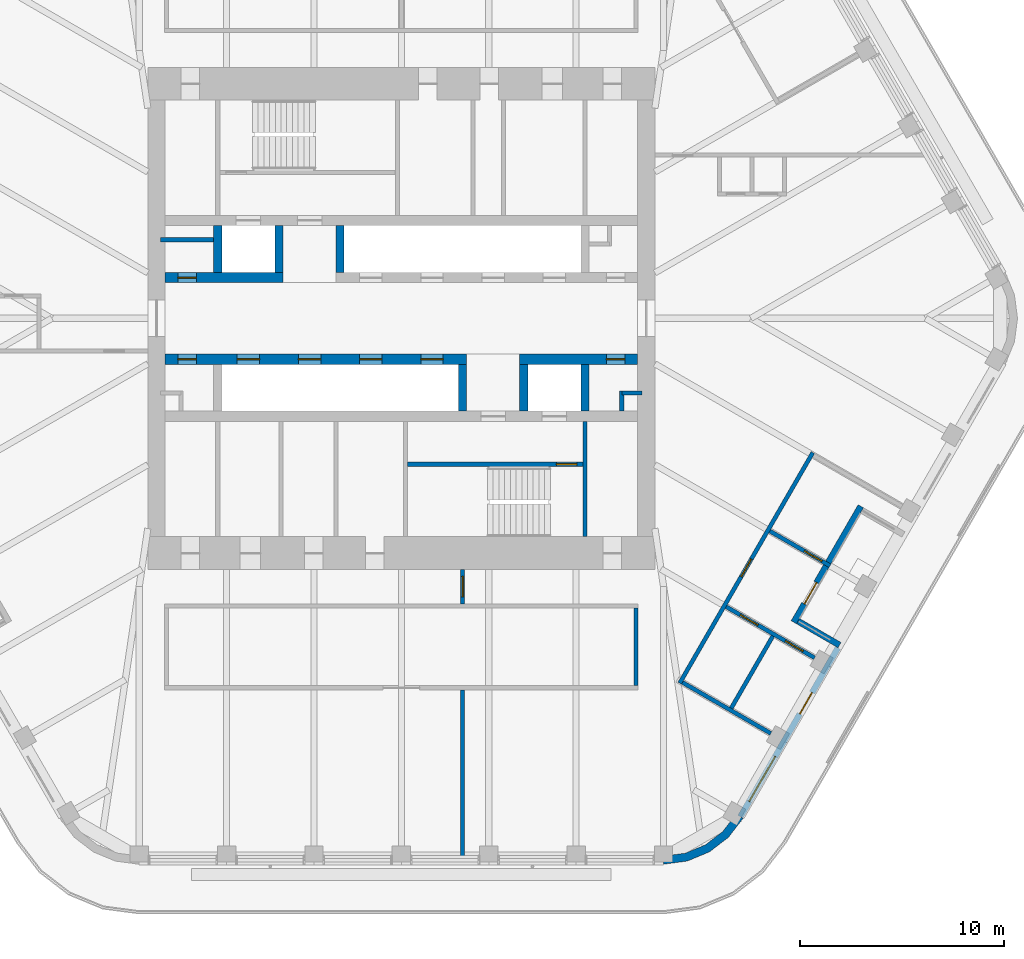
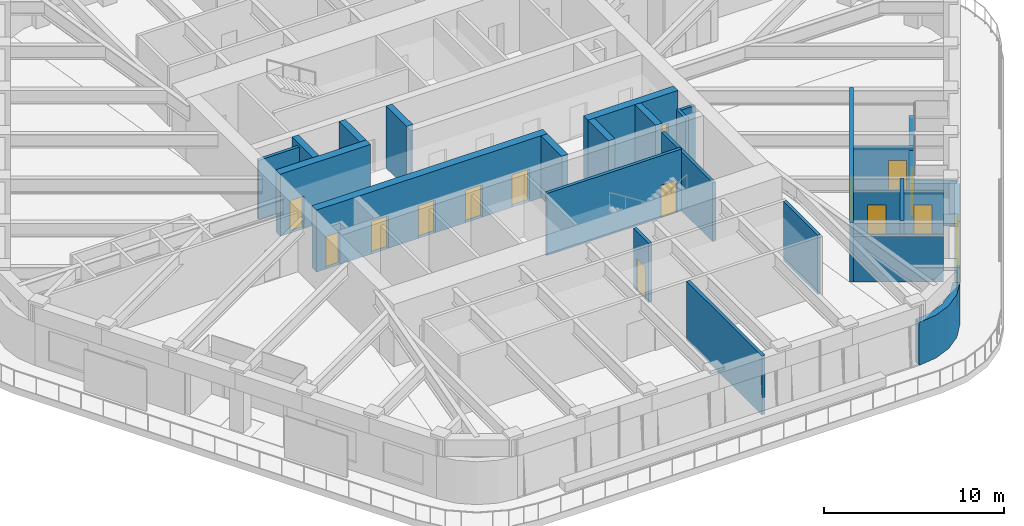
# One storey, part 14 of 19: 26 walls, 15 doors, 1 window, 16 openings.
"""IFC4 building model written with IfcOpenShell, lengths in metres."""

from ifc_helpers import new_model, si_unit, direction, frame, frame_2d, origin, place, context, subcontext, project, spatial, polyline, rectangle, outline, extrude, material, layer, layer_set, type_object, element, fill, save


model = new_model("IFC4")

# Units and contexts
model_context = context("Model", 3, precision=1e-05, world=origin(), true_north=direction((0.0, 1.0)))
body_context = subcontext(model_context, "Body", "Model", "MODEL_VIEW")
ifc_project = project(units=[si_unit("LENGTHUNIT", "METRE"), si_unit("AREAUNIT", "SQUARE_METRE"), si_unit("VOLUMEUNIT", "CUBIC_METRE"), si_unit("PLANEANGLEUNIT", "RADIAN"), si_unit("MASSUNIT", "GRAM", prefix="KILO")], contexts=[model_context])

# Site, building, storey
site_placement = place(None, origin())
site = spatial("IfcSite", under=ifc_project, at=site_placement, CompositionType="ELEMENT")
building_placement = place(site_placement, origin())
building = spatial("IfcBuilding", under=site, at=building_placement, Name="Tarfa Lantern Tower", CompositionType="ELEMENT")
storey_placement = place(building_placement, frame((0.0, 0.0, 353.5)))
storey = spatial("IfcBuildingStorey", under=building, at=storey_placement, Name="L80", CompositionType="ELEMENT", Elevation=353.5)

# Wall, openings, door, window
ifc_material_1 = material(Name="Limestone cladding on blockwork", Category="masonry")
ifc_layer_1 = layer(ifc_material_1, 0.300048828125)
ifc_layer_set_1 = layer_set([ifc_layer_1], Name="EW1 STONE-CLAD WALL 300")
wall_type_1 = type_object("IfcWallType", Name="EW1 STONE-CLAD WALL 300", PredefinedType="SOLIDWALL", material=ifc_layer_set_1)
wall_1_placement = place(storey_placement, frame((16.61328125, -24.425048828125, 0.0), z_axis=(0.0, 0.0, 1.0), x_axis=(0.499996453679, 0.866027451244, 0.0)))
wall_1 = element("IfcWall", 1, at=wall_1_placement, inside=storey, type_object=wall_type_1, Name="Stone wall SE", PredefinedType="SOLIDWALL", context=body_context, shape_type="SweptSolid", body=[
    extrude(rectangle(XDim=9.56396484375, YDim=0.300048828125, at=frame_2d((4.781982421875, 0.0))), origin(), (0.0, 0.0, 1.0), 2.89990234375),
])
opening_1_placement = place(wall_1_placement, frame((0.865966796875, 0.0, 0.60009765625)))
opening_1 = element("IfcOpeningElement", 2, at=opening_1_placement, cuts=wall_1, Name="Opening W17", PredefinedType="OPENING", context=body_context, shape_type="SweptSolid", body=[
    extrude(rectangle(XDim=2.550048828125, YDim=2.050048828125, at=frame_2d((1.27490234375, 1.02490234375))), frame((0.0, 0.159912109375, 0.0), z_axis=(0.0, -1.0, 0.0), x_axis=(1.0, 0.0, 0.0)), (0.0, 0.0, 1.0), 0.320068359375),
])
opening_2_placement = place(wall_1_placement, frame((5.822998046875, 0.0, 0.0)))
opening_2 = element("IfcOpeningElement", 3, at=opening_2_placement, cuts=wall_1, Name="Opening D40", PredefinedType="OPENING", context=body_context, shape_type="SweptSolid", body=[
    extrude(rectangle(XDim=1.199951171875, YDim=2.39990234375, at=frame_2d((0.60009765625, 1.199951171875))), frame((0.0, 0.159912109375, 0.0), z_axis=(0.0, -1.0, 0.0), x_axis=(1.0, 0.0, 0.0)), (0.0, 0.0, 1.0), 0.320068359375),
])
ifc_material_2 = material(Name="Aluminium framed glazed door", Category="aluminium")
door_type_1 = type_object("IfcDoorType", Name="BE3 BALCONY DOOR 1200x2400", OperationType="SINGLE_SWING_RIGHT", PredefinedType="DOOR", material=ifc_material_2)
door_1_placement = place(opening_2_placement, origin())
door_1 = element("IfcDoor", 4, at=door_1_placement, inside=storey, type_object=door_type_1, Name="Balcony door SE", OperationType="SINGLE_SWING_LEFT", OverallHeight=2.39990234375, OverallWidth=1.199951171875, PredefinedType="DOOR", context=body_context, shape_type="SweptSolid", body=[
    extrude(rectangle(XDim=1.199951171875, YDim=2.39990234375, at=frame_2d((0.60009765625, 1.199951171875))), frame((0.0, 0.02490234375, 0.0), z_axis=(0.0, -1.0, 0.0), x_axis=(1.0, 0.0, 0.0)), (0.0, 0.0, 1.0), 0.050048828125),
])
fill(opening_2, door_1)
ifc_material_3 = material(Name="Aluminium frame, double glazed", Category="aluminium")
window_type = type_object("IfcWindowType", Name="W17 FULL-HEIGHT GLAZING 2550x2050", PartitioningType="SINGLE_PANEL", PredefinedType="WINDOW", material=ifc_material_3)
window_placement = place(opening_1_placement, origin())
window = element("IfcWindow", 5, at=window_placement, inside=storey, type_object=window_type, Name="Window SE 1", OverallHeight=2.050048828125, OverallWidth=2.550048828125, PartitioningType="SINGLE_PANEL", PredefinedType="WINDOW", context=body_context, shape_type="SweptSolid", body=[
    extrude(rectangle(XDim=2.550048828125, YDim=2.050048828125, at=frame_2d((1.27490234375, 1.02490234375))), frame((0.0, 0.030029296875, 0.0), z_axis=(0.0, -1.0, 0.0), x_axis=(1.0, 0.0, 0.0)), (0.0, 0.0, 1.0), 0.06005859375),
])
fill(opening_1, window)

# Wall
wall_2_placement = place(storey_placement, frame((21.47021484375, -16.012451171875, 0.0), z_axis=(0.0, 0.0, 1.0), x_axis=(-0.866016039709, 0.500016218704, 0.0)))
element("IfcWall", 6, at=wall_2_placement, inside=storey, type_object=wall_type_1, Name="Terrace return SE 1", PredefinedType="SOLIDWALL", context=body_context, shape_type="SweptSolid", body=[
    extrude(rectangle(XDim=2.35009765625, YDim=0.300048828125, at=frame_2d((1.175048828125, 0.0))), origin(), (0.0, 0.0, 1.0), 2.89990234375),
])

# Wall, opening, door
wall_3_placement = place(storey_placement, frame((19.230224609375, -14.892333984375, 0.0), z_axis=(0.0, 0.0, 1.0), x_axis=(0.499999339774, 0.866025784966, 0.0)))
wall_3 = element("IfcWall", 7, at=wall_3_placement, inside=storey, type_object=wall_type_1, Name="Stone wall SES", PredefinedType="SOLIDWALL", context=body_context, shape_type="SweptSolid", body=[
    extrude(rectangle(XDim=6.56396484375, YDim=0.300048828125, at=frame_2d((3.281982421875, 0.0))), origin(), (0.0, 0.0, 1.0), 2.89990234375),
])
opening_3_placement = place(wall_3_placement, frame((1.041015625, 0.0, 0.0)))
opening_3 = element("IfcOpeningElement", 8, at=opening_3_placement, cuts=wall_3, Name="Opening D41", PredefinedType="OPENING", context=body_context, shape_type="SweptSolid", body=[
    extrude(rectangle(XDim=1.199951171875, YDim=2.39990234375, at=frame_2d((0.60009765625, 1.199951171875))), frame((0.0, 0.159912109375, 0.0), z_axis=(0.0, -1.0, 0.0), x_axis=(1.0, 0.0, 0.0)), (0.0, 0.0, 1.0), 0.320068359375),
])
door_2_placement = place(opening_3_placement, origin())
door_2 = element("IfcDoor", 9, at=door_2_placement, inside=storey, type_object=door_type_1, Name="Balcony door SES", OperationType="SINGLE_SWING_LEFT", OverallHeight=2.39990234375, OverallWidth=1.199951171875, PredefinedType="DOOR", context=body_context, shape_type="SweptSolid", body=[
    extrude(rectangle(XDim=1.199951171875, YDim=2.39990234375, at=frame_2d((0.60009765625, 1.199951171875))), frame((0.0, 0.02490234375, 0.0), z_axis=(0.0, -1.0, 0.0), x_axis=(1.0, 0.0, 0.0)), (0.0, 0.0, 1.0), 0.050048828125),
])
fill(opening_3, door_2)

# Walls
ifc_layer_2 = layer(ifc_material_1, 0.39990234375)
ifc_layer_set_2 = layer_set([ifc_layer_2], Name="EW2 CURVED STONE CORNER 400")
wall_type_2 = type_object("IfcWallType", Name="EW2 CURVED STONE CORNER 400", PredefinedType="SOLIDWALL", material=ifc_layer_set_2)
wall_4_placement = place(storey_placement, origin())
element("IfcWall", 10, at=wall_4_placement, inside=storey, type_object=wall_type_2, Name="Stone corner S-SE", PredefinedType="SOLIDWALL", context=body_context, shape_type="SweptSolid", body=[
    extrude(outline(polyline([(12.845947265625, -26.75), (14.0107421875, -26.5966796875), (15.095947265625, -26.147216796875), (16.028076171875, -25.431884765625), (16.7431640625, -24.5), (16.396728515625, -24.300048828125), (15.7451171875, -25.149169921875), (14.89599609375, -25.80078125), (13.9072265625, -26.210205078125), (12.845947265625, -26.35009765625), (12.845947265625, -26.75)])), origin(), (0.0, 0.0, 1.0), 2.89990234375),
])
ifc_material_4 = material(Name="Concrete blockwork", Category="masonry")
ifc_layer_3 = layer(ifc_material_4, 0.199951171875)
ifc_layer_set_3 = layer_set([ifc_layer_3], Name="IW1 BLOCKWORK PARTITION 200 EI 120")
wall_type_3 = type_object("IfcWallType", Name="IW1 BLOCKWORK PARTITION 200 EI 120", PredefinedType="PARTITIONING", material=ifc_layer_set_3)
wall_5_placement = place(storey_placement, frame((9.0, -5.050048828125, 0.0), z_axis=(0.0, 0.0, 1.0), x_axis=(0.0, -1.0, 0.0)))
element("IfcWall", 11, at=wall_5_placement, inside=storey, type_object=wall_type_3, Name="Core partition", PredefinedType="PARTITIONING", context=body_context, shape_type="SweptSolid", body=[
    extrude(rectangle(XDim=5.64990234375, YDim=0.199951171875, at=frame_2d((2.824951171875, 0.0))), origin(), (0.0, 0.0, 1.0), 4.0),
])
wall_6_placement = place(storey_placement, frame((-11.800048828125, 3.85009765625, 0.0), z_axis=(0.0, 0.0, 1.0), x_axis=(1.0, 0.0, 0.0)))
element("IfcWall", 12, at=wall_6_placement, inside=storey, type_object=wall_type_3, Name="Core partition", PredefinedType="PARTITIONING", context=body_context, shape_type="SweptSolid", body=[
    extrude(rectangle(XDim=2.60009765625, YDim=0.199951171875, at=frame_2d((1.300048828125, 0.0))), origin(), (0.0, 0.0, 1.0), 4.0),
])
for number, where, z_axis, x_axis, name in (
    (13, (11.800048828125, -3.64990234375, 0.0), (0.0, 0.0, 1.0), (-1.0, 0.0, 0.0), "Core partition"),
    (14, (10.800048828125, -3.550048828125, 0.0), (0.0, 0.0, 1.0), (0.0, -1.0, 0.0), "Core partition"),
):
    element("IfcWall", number, at=place(storey_placement, frame(where, z_axis=z_axis, x_axis=x_axis)), inside=storey, type_object=wall_type_3, Name=name, PredefinedType="PARTITIONING", context=body_context, shape_type="SweptSolid", body=[
        extrude(rectangle(XDim=1.0, YDim=0.199951171875, at=frame_2d((0.5, 0.0))), origin(), (0.0, 0.0, 1.0), 4.0),
    ])
ifc_material_5 = material(Name="Gypsum board on steel studs", Category="steel")
ifc_layer_4 = layer(ifc_material_5, 0.2099609375)
ifc_layer_set_4 = layer_set([ifc_layer_4], Name="IW2 ACOUSTIC PARTITION 200")
wall_type_4 = type_object("IfcWallType", Name="IW2 ACOUSTIC PARTITION 200", PredefinedType="PARTITIONING", material=ifc_layer_set_4)
wall_7_placement = place(storey_placement, frame((11.5, -14.199951171875, 0.0), z_axis=(0.0, 0.0, 1.0), x_axis=(0.0, -1.0, 0.0)))
element("IfcWall", 15, at=wall_7_placement, inside=storey, type_object=wall_type_4, Name="Partition", PredefinedType="PARTITIONING", context=body_context, shape_type="SweptSolid", body=[
    extrude(rectangle(XDim=3.800048828125, YDim=0.199951171875, at=frame_2d((1.89990234375, 0.0))), origin(), (0.0, 0.0, 1.0), 4.0),
])

# Wall, opening, door
wall_8_placement = place(storey_placement, frame((13.637939453125, -17.878173828125, 0.0), z_axis=(0.0, 0.0, 1.0), x_axis=(0.500013496215, 0.866017611601, 0.0)))
wall_8 = element("IfcWall", 16, at=wall_8_placement, inside=storey, type_object=wall_type_4, Name="Partition", PredefinedType="PARTITIONING", context=body_context, shape_type="SweptSolid", body=[
    extrude(rectangle(XDim=13.046142578125, YDim=0.199951171875, at=frame_2d((6.52294921875, 0.0))), origin(), (0.0, 0.0, 1.0), 4.0),
])
opening_4_placement = place(wall_8_placement, frame((6.02294921875, 0.0, 0.0)))
opening_4 = element("IfcOpeningElement", 17, at=opening_4_placement, cuts=wall_8, Name="Opening D23", PredefinedType="OPENING", context=body_context, shape_type="SweptSolid", body=[
    extrude(rectangle(XDim=1.0, YDim=2.199951171875, at=frame_2d((0.5, 1.10009765625))), frame((0.0, 0.10986328125, 0.0), z_axis=(0.0, -1.0, 0.0), x_axis=(1.0, 0.0, 0.0)), (0.0, 0.0, 1.0), 0.219970703125),
])
ifc_material_6 = material(Name="Timber door", Category="wood")
door_type_2 = type_object("IfcDoorType", Name="DR1 ROOM DOOR 1000x2200", OperationType="SINGLE_SWING_LEFT", PredefinedType="DOOR", material=ifc_material_6)
door_3_placement = place(opening_4_placement, frame((1.0, 0.0, 0.0), z_axis=(0.0, 0.0, 1.0), x_axis=(-1.0, 0.0, 0.0)))
door_3 = element("IfcDoor", 18, at=door_3_placement, inside=storey, type_object=door_type_2, Name="PA area door", OperationType="SINGLE_SWING_LEFT", OverallHeight=2.199951171875, OverallWidth=1.0, PredefinedType="DOOR", context=body_context, shape_type="SweptSolid", body=[
    extrude(rectangle(XDim=1.0, YDim=2.199951171875, at=frame_2d((0.5, 1.10009765625))), frame((0.0, 0.02490234375, 0.0), z_axis=(0.0, -1.0, 0.0), x_axis=(1.0, 0.0, 0.0)), (0.0, 0.0, 1.0), 0.050048828125),
])
fill(opening_4, door_3)

# Wall
wall_9_placement = place(storey_placement, frame((13.774658203125, -17.841552734375, 0.0), z_axis=(0.0, 0.0, 1.0), x_axis=(0.866022959057, -0.500004234368, 0.0)))
element("IfcWall", 19, at=wall_9_placement, inside=storey, type_object=wall_type_4, Name="Partition", PredefinedType="PARTITIONING", context=body_context, shape_type="SweptSolid", body=[
    extrude(rectangle(XDim=5.0, YDim=0.199951171875, at=frame_2d((2.5, 0.0))), origin(), (0.0, 0.0, 1.0), 3.08154296875),
])

# Wall, openings, doors
wall_10_placement = place(storey_placement, frame((15.91552734375, -14.13330078125, 0.0), z_axis=(0.0, 0.0, 1.0), x_axis=(0.866035165624, -0.499983091616, 0.0)))
wall_10 = element("IfcWall", 20, at=wall_10_placement, inside=storey, type_object=wall_type_4, Name="Partition", PredefinedType="PARTITIONING", context=body_context, shape_type="SweptSolid", body=[
    extrude(rectangle(XDim=5.000244140625, YDim=0.199951171875, at=frame_2d((2.5, 0.0))), origin(), (0.0, 0.0, 1.0), 3.08154296875),
])
opening_5_placement = place(wall_10_placement, frame((0.800048828125, 0.0, 0.0)))
opening_5 = element("IfcOpeningElement", 21, at=opening_5_placement, cuts=wall_10, Name="Opening D25", PredefinedType="OPENING", context=body_context, shape_type="SweptSolid", body=[
    extrude(rectangle(XDim=1.0, YDim=2.199951171875, at=frame_2d((0.5, 1.10009765625))), frame((0.0, 0.10986328125, 0.0), z_axis=(0.0, -1.0, 0.0), x_axis=(1.0, 0.0, 0.0)), (0.0, 0.0, 1.0), 0.219970703125),
])
opening_6_placement = place(wall_10_placement, frame((3.35009765625, 0.0, 0.0)))
opening_6 = element("IfcOpeningElement", 22, at=opening_6_placement, cuts=wall_10, Name="Opening D26", PredefinedType="OPENING", context=body_context, shape_type="SweptSolid", body=[
    extrude(rectangle(XDim=1.0, YDim=2.199951171875, at=frame_2d((0.5, 1.10009765625))), frame((0.0, 0.10986328125, 0.0), z_axis=(0.0, -1.0, 0.0), x_axis=(1.0, 0.0, 0.0)), (0.0, 0.0, 1.0), 0.219970703125),
])
door_4_placement = place(opening_5_placement, frame((1.0, 0.0, 0.0), z_axis=(0.0, 0.0, 1.0), x_axis=(-1.0, 0.0, 0.0)))
door_4 = element("IfcDoor", 23, at=door_4_placement, inside=storey, type_object=door_type_2, Name="Pantry door", OperationType="SINGLE_SWING_LEFT", OverallHeight=2.199951171875, OverallWidth=1.0, PredefinedType="DOOR", context=body_context, shape_type="SweptSolid", body=[
    extrude(rectangle(XDim=1.0, YDim=2.199951171875, at=frame_2d((0.5, 1.10009765625))), frame((0.0, 0.02490234375, 0.0), z_axis=(0.0, -1.0, 0.0), x_axis=(1.0, 0.0, 0.0)), (0.0, 0.0, 1.0), 0.050048828125),
])
fill(opening_5, door_4)
door_5_placement = place(opening_6_placement, frame((1.0, 0.0, 0.0), z_axis=(0.0, 0.0, 1.0), x_axis=(-1.0, 0.0, 0.0)))
door_5 = element("IfcDoor", 24, at=door_5_placement, inside=storey, type_object=door_type_2, Name="Private lounge door", OperationType="SINGLE_SWING_LEFT", OverallHeight=2.199951171875, OverallWidth=1.0, PredefinedType="DOOR", context=body_context, shape_type="SweptSolid", body=[
    extrude(rectangle(XDim=1.0, YDim=2.199951171875, at=frame_2d((0.5, 1.10009765625))), frame((0.0, 0.02490234375, 0.0), z_axis=(0.0, -1.0, 0.0), x_axis=(1.0, 0.0, 0.0)), (0.0, 0.0, 1.0), 0.050048828125),
])
fill(opening_6, door_5)

# Wall, opening, door
wall_11_placement = place(storey_placement, frame((18.056640625, -10.425048828125, 0.0), z_axis=(0.0, 0.0, 1.0), x_axis=(0.866030179784, -0.499991727635, 0.0)))
wall_11 = element("IfcWall", 25, at=wall_11_placement, inside=storey, type_object=wall_type_4, Name="Partition", PredefinedType="PARTITIONING", context=body_context, shape_type="SweptSolid", body=[
    extrude(rectangle(XDim=3.40087890625, YDim=0.199951171875, at=frame_2d((1.700439453125, 0.0))), origin(), (0.0, 0.0, 1.0), 3.08154296875),
])
opening_7_placement = place(wall_11_placement, frame((1.949951171875, 0.0, 0.0)))
opening_7 = element("IfcOpeningElement", 26, at=opening_7_placement, cuts=wall_11, Name="Opening D24", PredefinedType="OPENING", context=body_context, shape_type="SweptSolid", body=[
    extrude(rectangle(XDim=1.0, YDim=2.199951171875, at=frame_2d((0.5, 1.10009765625))), frame((0.0, 0.10986328125, 0.0), z_axis=(0.0, -1.0, 0.0), x_axis=(1.0, 0.0, 0.0)), (0.0, 0.0, 1.0), 0.219970703125),
])
door_6_placement = place(opening_7_placement, origin())
door_6 = element("IfcDoor", 27, at=door_6_placement, inside=storey, type_object=door_type_2, Name="Executive office door", OperationType="SINGLE_SWING_LEFT", OverallHeight=2.199951171875, OverallWidth=1.0, PredefinedType="DOOR", context=body_context, shape_type="SweptSolid", body=[
    extrude(rectangle(XDim=1.0, YDim=2.199951171875, at=frame_2d((0.5, 1.10009765625))), frame((0.0, 0.02490234375, 0.0), z_axis=(0.0, -1.0, 0.0), x_axis=(1.0, 0.0, 0.0)), (0.0, 0.0, 1.0), 0.050048828125),
])
fill(opening_7, door_6)

# Wall
wall_12_placement = place(storey_placement, frame((16.162841796875, -19.10498046875, 0.0), z_axis=(0.0, 0.0, 1.0), x_axis=(0.499998569178, 0.866026229868, 0.0)))
element("IfcWall", 28, at=wall_12_placement, inside=storey, type_object=wall_type_4, Name="Partition", PredefinedType="PARTITIONING", context=body_context, shape_type="SweptSolid", body=[
    extrude(rectangle(XDim=4.08203125, YDim=0.199951171875, at=frame_2d((2.041015625, 0.0))), origin(), (0.0, 0.0, 1.0), 4.0),
])

# Wall, opening, door
wall_13_placement = place(storey_placement, frame((3.0, -12.300048828125, 0.0), z_axis=(0.0, 0.0, 1.0), x_axis=(0.0, -1.0, 0.0)))
wall_13 = element("IfcWall", 29, at=wall_13_placement, inside=storey, type_object=wall_type_4, Name="Partition", PredefinedType="PARTITIONING", context=body_context, shape_type="SweptSolid", body=[
    extrude(rectangle(XDim=1.699951171875, YDim=0.199951171875, at=frame_2d((0.85009765625, 0.0))), origin(), (0.0, 0.0, 1.0), 4.0),
])
opening_8_placement = place(wall_13_placement, frame((0.35009765625, 0.0, 0.0)))
opening_8 = element("IfcOpeningElement", 30, at=opening_8_placement, cuts=wall_13, Name="Opening D36", PredefinedType="OPENING", context=body_context, shape_type="SweptSolid", body=[
    extrude(rectangle(XDim=1.0, YDim=2.199951171875, at=frame_2d((0.5, 1.10009765625))), frame((0.0, 0.10986328125, 0.0), z_axis=(0.0, -1.0, 0.0), x_axis=(1.0, 0.0, 0.0)), (0.0, 0.0, 1.0), 0.219970703125),
])
door_7_placement = place(opening_8_placement, frame((1.0, 0.0, 0.0), z_axis=(0.0, 0.0, 1.0), x_axis=(-1.0, 0.0, 0.0)))
door_7 = element("IfcDoor", 31, at=door_7_placement, inside=storey, type_object=door_type_2, Name="Zone door", OperationType="SINGLE_SWING_RIGHT", OverallHeight=2.199951171875, OverallWidth=1.0, PredefinedType="DOOR", context=body_context, shape_type="SweptSolid", body=[
    extrude(rectangle(XDim=1.0, YDim=2.199951171875, at=frame_2d((0.5, 1.10009765625))), frame((0.0, 0.02490234375, 0.0), z_axis=(0.0, -1.0, 0.0), x_axis=(1.0, 0.0, 0.0)), (0.0, 0.0, 1.0), 0.050048828125),
])
fill(opening_8, door_7)

# Wall
wall_14_placement = place(storey_placement, frame((3.0, -18.199951171875, 0.0), z_axis=(0.0, 0.0, 1.0), x_axis=(0.0, -1.0, 0.0)))
element("IfcWall", 32, at=wall_14_placement, inside=storey, type_object=wall_type_4, Name="Partition", PredefinedType="PARTITIONING", context=body_context, shape_type="SweptSolid", body=[
    extrude(rectangle(XDim=8.35009765625, YDim=0.199951171875, at=frame_2d((4.175048828125, 0.0))), origin(), (0.0, 0.0, 1.0), 4.0),
])

# Wall, opening, door
ifc_material_7 = material(Name="Concrete C80/95", Category="concrete")
ifc_layer_5 = layer(ifc_material_7, 0.199951171875)
ifc_layer_set_5 = layer_set([ifc_layer_5], Name="SW12 CORE WALL 200")
wall_type_5 = type_object("IfcWallType", Name="SW12 CORE WALL 200", PredefinedType="SHEAR", material=ifc_layer_set_5)
wall_15_placement = place(storey_placement, frame((8.89990234375, -7.14990234375, 0.0), z_axis=(0.0, 0.0, 1.0), x_axis=(-1.0, 0.0, 0.0)))
wall_15 = element("IfcWall", 33, at=wall_15_placement, inside=storey, type_object=wall_type_5, Name="Core wall stair partition S", PredefinedType="SHEAR", context=body_context, shape_type="SweptSolid", body=[
    extrude(rectangle(XDim=8.599853515625, YDim=0.199951171875, at=frame_2d((4.2998046875, 0.0))), origin(), (0.0, 0.0, 1.0), 4.199951171875),
])
opening_9_placement = place(wall_15_placement, frame((0.300048828125, 0.0, 0.0)))
opening_9 = element("IfcOpeningElement", 34, at=opening_9_placement, cuts=wall_15, Name="Opening D20", PredefinedType="OPENING", context=body_context, shape_type="SweptSolid", body=[
    extrude(rectangle(XDim=1.0, YDim=2.199951171875, at=frame_2d((0.5, 1.10009765625))), frame((0.0, 0.10986328125, 0.0), z_axis=(0.0, -1.0, 0.0), x_axis=(1.0, 0.0, 0.0)), (0.0, 0.0, 1.0), 0.219970703125),
])
ifc_material_8 = material(Name="Steel fire door", Category="steel")
door_type_3 = type_object("IfcDoorType", Name="DF2 STAIR DOOR 1000x2200", OperationType="SINGLE_SWING_LEFT", PredefinedType="DOOR", material=ifc_material_8)
door_8_placement = place(opening_9_placement, origin())
door_8 = element("IfcDoor", 35, at=door_8_placement, inside=storey, type_object=door_type_3, Name="Stair door", OperationType="SINGLE_SWING_RIGHT", OverallHeight=2.199951171875, OverallWidth=1.0, PredefinedType="DOOR", context=body_context, shape_type="SweptSolid", body=[
    extrude(rectangle(XDim=1.0, YDim=2.199951171875, at=frame_2d((0.5, 1.10009765625))), frame((0.0, 0.02490234375, 0.0), z_axis=(0.0, -1.0, 0.0), x_axis=(1.0, 0.0, 0.0)), (0.0, 0.0, 1.0), 0.050048828125),
])
fill(opening_9, door_8)

ifc_layer_6 = layer(ifc_material_7, 0.5)
ifc_layer_set_6 = layer_set([ifc_layer_6], Name="SW5 CORE WALL 500")
wall_type_6 = type_object("IfcWallType", Name="SW5 CORE WALL 500", PredefinedType="SHEAR", material=ifc_layer_set_6)
wall_16_placement = place(storey_placement, frame((-11.574951171875, 2.0, 0.0), z_axis=(0.0, 0.0, 1.0), x_axis=(1.0, 0.0, 0.0)))
wall_16 = element("IfcWall", 36, at=wall_16_placement, inside=storey, type_object=wall_type_6, Name="Core wall lobby west N", PredefinedType="SHEAR", context=body_context, shape_type="SweptSolid", body=[
    extrude(rectangle(XDim=5.77490234375, YDim=0.5, at=frame_2d((2.887451171875, 0.0))), origin(), (0.0, 0.0, 1.0), 4.199951171875),
])
opening_10_placement = place(wall_16_placement, frame((0.625, 0.0, 0.0)))
opening_10 = element("IfcOpeningElement", 37, at=opening_10_placement, cuts=wall_16, Name="Opening D11", PredefinedType="OPENING", context=body_context, shape_type="SweptSolid", body=[
    extrude(rectangle(XDim=0.89990234375, YDim=2.199951171875, at=frame_2d((0.449951171875, 1.10009765625))), frame((0.0, 0.260009765625, 0.0), z_axis=(0.0, -1.0, 0.0), x_axis=(1.0, 0.0, 0.0)), (0.0, 0.0, 1.0), 0.52001953125),
])
door_type_4 = type_object("IfcDoorType", Name="DF6 SERVICE ROOM DOOR 900x2200", OperationType="SINGLE_SWING_LEFT", PredefinedType="DOOR", material=ifc_material_8)
door_9_placement = place(opening_10_placement, origin())
door_9 = element("IfcDoor", 38, at=door_9_placement, inside=storey, type_object=door_type_4, Name="Service room door", OperationType="SINGLE_SWING_RIGHT", OverallHeight=2.199951171875, OverallWidth=0.89990234375, PredefinedType="DOOR", context=body_context, shape_type="SweptSolid", body=[
    extrude(rectangle(XDim=0.89990234375, YDim=2.199951171875, at=frame_2d((0.449951171875, 1.10009765625))), frame((0.0, 0.02490234375, 0.0), z_axis=(0.0, -1.0, 0.0), x_axis=(1.0, 0.0, 0.0)), (0.0, 0.0, 1.0), 0.050048828125),
])
fill(opening_10, door_9)

wall_17_placement = place(storey_placement, frame((11.574951171875, -2.0, 0.0), z_axis=(0.0, 0.0, 1.0), x_axis=(-1.0, 0.0, 0.0)))
wall_17 = element("IfcWall", 39, at=wall_17_placement, inside=storey, type_object=wall_type_6, Name="Core wall lobby west S", PredefinedType="SHEAR", context=body_context, shape_type="SweptSolid", body=[
    extrude(rectangle(XDim=5.77490234375, YDim=0.5, at=frame_2d((2.887451171875, 0.0))), origin(), (0.0, 0.0, 1.0), 4.199951171875),
])
opening_11_placement = place(wall_17_placement, frame((0.625, 0.0, 0.0)))
opening_11 = element("IfcOpeningElement", 40, at=opening_11_placement, cuts=wall_17, Name="Opening D12", PredefinedType="OPENING", context=body_context, shape_type="SweptSolid", body=[
    extrude(rectangle(XDim=0.89990234375, YDim=2.199951171875, at=frame_2d((0.449951171875, 1.10009765625))), frame((0.0, 0.260009765625, 0.0), z_axis=(0.0, -1.0, 0.0), x_axis=(1.0, 0.0, 0.0)), (0.0, 0.0, 1.0), 0.52001953125),
])
door_10_placement = place(opening_11_placement, origin())
door_10 = element("IfcDoor", 41, at=door_10_placement, inside=storey, type_object=door_type_4, Name="Service room door", OperationType="SINGLE_SWING_RIGHT", OverallHeight=2.199951171875, OverallWidth=0.89990234375, PredefinedType="DOOR", context=body_context, shape_type="SweptSolid", body=[
    extrude(rectangle(XDim=0.89990234375, YDim=2.199951171875, at=frame_2d((0.449951171875, 1.10009765625))), frame((0.0, 0.02490234375, 0.0), z_axis=(0.0, -1.0, 0.0), x_axis=(1.0, 0.0, 0.0)), (0.0, 0.0, 1.0), 0.050048828125),
])
fill(opening_11, door_10)

# Wall, openings, doors
wall_18_placement = place(storey_placement, frame((3.199951171875, -2.0, 0.0), z_axis=(0.0, 0.0, 1.0), x_axis=(-1.0, 0.0, 0.0)))
wall_18 = element("IfcWall", 42, at=wall_18_placement, inside=storey, type_object=wall_type_6, Name="Core wall lobby east S", PredefinedType="SHEAR", context=body_context, shape_type="SweptSolid", body=[
    extrude(rectangle(XDim=14.77490234375, YDim=0.5, at=frame_2d((7.387451171875, 0.0))), origin(), (0.0, 0.0, 1.0), 4.199951171875),
])
opening_12_placement = place(wall_18_placement, frame((13.25, 0.0, 0.0)))
opening_12 = element("IfcOpeningElement", 43, at=opening_12_placement, cuts=wall_18, Name="Opening D10", PredefinedType="OPENING", context=body_context, shape_type="SweptSolid", body=[
    extrude(rectangle(XDim=0.89990234375, YDim=2.199951171875, at=frame_2d((0.449951171875, 1.10009765625))), frame((0.0, 0.260009765625, 0.0), z_axis=(0.0, -1.0, 0.0), x_axis=(1.0, 0.0, 0.0)), (0.0, 0.0, 1.0), 0.52001953125),
])
opening_13_placement = place(wall_18_placement, frame((1.14990234375, 0.0, 0.0)))
opening_13 = element("IfcOpeningElement", 44, at=opening_13_placement, cuts=wall_18, Name="Opening LD07", PredefinedType="OPENING", context=body_context, shape_type="SweptSolid", body=[
    extrude(rectangle(XDim=1.10009765625, YDim=2.199951171875, at=frame_2d((0.550048828125, 1.10009765625))), frame((0.0, 0.260009765625, 0.0), z_axis=(0.0, -1.0, 0.0), x_axis=(1.0, 0.0, 0.0)), (0.0, 0.0, 1.0), 0.52001953125),
])
opening_14_placement = place(wall_18_placement, frame((4.14990234375, 0.0, 0.0)))
opening_14 = element("IfcOpeningElement", 45, at=opening_14_placement, cuts=wall_18, Name="Opening LD08", PredefinedType="OPENING", context=body_context, shape_type="SweptSolid", body=[
    extrude(rectangle(XDim=1.10009765625, YDim=2.199951171875, at=frame_2d((0.550048828125, 1.10009765625))), frame((0.0, 0.260009765625, 0.0), z_axis=(0.0, -1.0, 0.0), x_axis=(1.0, 0.0, 0.0)), (0.0, 0.0, 1.0), 0.52001953125),
])
opening_15_placement = place(wall_18_placement, frame((7.14990234375, 0.0, 0.0)))
opening_15 = element("IfcOpeningElement", 46, at=opening_15_placement, cuts=wall_18, Name="Opening LD09", PredefinedType="OPENING", context=body_context, shape_type="SweptSolid", body=[
    extrude(rectangle(XDim=1.10009765625, YDim=2.199951171875, at=frame_2d((0.550048828125, 1.10009765625))), frame((0.0, 0.260009765625, 0.0), z_axis=(0.0, -1.0, 0.0), x_axis=(1.0, 0.0, 0.0)), (0.0, 0.0, 1.0), 0.52001953125),
])
opening_16_placement = place(wall_18_placement, frame((10.14990234375, 0.0, 0.0)))
opening_16 = element("IfcOpeningElement", 47, at=opening_16_placement, cuts=wall_18, Name="Opening LD10", PredefinedType="OPENING", context=body_context, shape_type="SweptSolid", body=[
    extrude(rectangle(XDim=1.10009765625, YDim=2.199951171875, at=frame_2d((0.550048828125, 1.10009765625))), frame((0.0, 0.260009765625, 0.0), z_axis=(0.0, -1.0, 0.0), x_axis=(1.0, 0.0, 0.0)), (0.0, 0.0, 1.0), 0.52001953125),
])
door_11_placement = place(opening_12_placement, origin())
door_11 = element("IfcDoor", 48, at=door_11_placement, inside=storey, type_object=door_type_4, Name="Service room door", OperationType="SINGLE_SWING_LEFT", OverallHeight=2.199951171875, OverallWidth=0.89990234375, PredefinedType="DOOR", context=body_context, shape_type="SweptSolid", body=[
    extrude(rectangle(XDim=0.89990234375, YDim=2.199951171875, at=frame_2d((0.449951171875, 1.10009765625))), frame((0.0, 0.02490234375, 0.0), z_axis=(0.0, -1.0, 0.0), x_axis=(1.0, 0.0, 0.0)), (0.0, 0.0, 1.0), 0.050048828125),
])
fill(opening_12, door_11)
ifc_material_9 = material(Name="Stainless steel lift door", Category="steel")
door_type_5 = type_object("IfcDoorType", Name="LD2 LIFT LANDING DOOR 1100x2200", OperationType="SLIDING_TO_LEFT", PredefinedType="DOOR", material=ifc_material_9)
door_12_placement = place(opening_13_placement, frame((1.10009765625, 0.0, 0.0), z_axis=(0.0, 0.0, 1.0), x_axis=(-1.0, 0.0, 0.0)))
door_12 = element("IfcDoor", 49, at=door_12_placement, inside=storey, type_object=door_type_5, Name="Landing door PD5", OperationType="SLIDING_TO_LEFT", OverallHeight=2.199951171875, OverallWidth=1.10009765625, PredefinedType="DOOR", context=body_context, shape_type="SweptSolid", body=[
    extrude(rectangle(XDim=1.10009765625, YDim=2.199951171875, at=frame_2d((0.550048828125, 1.10009765625))), frame((0.0, 0.02490234375, 0.0), z_axis=(0.0, -1.0, 0.0), x_axis=(1.0, 0.0, 0.0)), (0.0, 0.0, 1.0), 0.050048828125),
])
fill(opening_13, door_12)
door_13_placement = place(opening_14_placement, frame((1.10009765625, 0.0, 0.0), z_axis=(0.0, 0.0, 1.0), x_axis=(-1.0, 0.0, 0.0)))
door_13 = element("IfcDoor", 50, at=door_13_placement, inside=storey, type_object=door_type_5, Name="Landing door PD6", OperationType="SLIDING_TO_LEFT", OverallHeight=2.199951171875, OverallWidth=1.10009765625, PredefinedType="DOOR", context=body_context, shape_type="SweptSolid", body=[
    extrude(rectangle(XDim=1.10009765625, YDim=2.199951171875, at=frame_2d((0.550048828125, 1.10009765625))), frame((0.0, 0.02490234375, 0.0), z_axis=(0.0, -1.0, 0.0), x_axis=(1.0, 0.0, 0.0)), (0.0, 0.0, 1.0), 0.050048828125),
])
fill(opening_14, door_13)
door_14_placement = place(opening_15_placement, frame((1.10009765625, 0.0, 0.0), z_axis=(0.0, 0.0, 1.0), x_axis=(-1.0, 0.0, 0.0)))
door_14 = element("IfcDoor", 51, at=door_14_placement, inside=storey, type_object=door_type_5, Name="Landing door PD7", OperationType="SLIDING_TO_LEFT", OverallHeight=2.199951171875, OverallWidth=1.10009765625, PredefinedType="DOOR", context=body_context, shape_type="SweptSolid", body=[
    extrude(rectangle(XDim=1.10009765625, YDim=2.199951171875, at=frame_2d((0.550048828125, 1.10009765625))), frame((0.0, 0.02490234375, 0.0), z_axis=(0.0, -1.0, 0.0), x_axis=(1.0, 0.0, 0.0)), (0.0, 0.0, 1.0), 0.050048828125),
])
fill(opening_15, door_14)
door_15_placement = place(opening_16_placement, frame((1.10009765625, 0.0, 0.0), z_axis=(0.0, 0.0, 1.0), x_axis=(-1.0, 0.0, 0.0)))
door_15 = element("IfcDoor", 52, at=door_15_placement, inside=storey, type_object=door_type_5, Name="Landing door PD8", OperationType="SLIDING_TO_LEFT", OverallHeight=2.199951171875, OverallWidth=1.10009765625, PredefinedType="DOOR", context=body_context, shape_type="SweptSolid", body=[
    extrude(rectangle(XDim=1.10009765625, YDim=2.199951171875, at=frame_2d((0.550048828125, 1.10009765625))), frame((0.0, 0.02490234375, 0.0), z_axis=(0.0, -1.0, 0.0), x_axis=(1.0, 0.0, 0.0)), (0.0, 0.0, 1.0), 0.050048828125),
])
fill(opening_16, door_15)

# Walls
ifc_layer_7 = layer(ifc_material_7, 0.39990234375)
ifc_layer_set_7 = layer_set([ifc_layer_7], Name="SW6 CORE WALL 400")
wall_type_7 = type_object("IfcWallType", Name="SW6 CORE WALL 400", PredefinedType="SHEAR", material=ifc_layer_set_7)
for number, where, z_axis, x_axis, name in (
    (53, (-9.0, 2.25, 0.0), (0.0, 0.0, 1.0), (0.0, 1.0, 0.0), "Core wall divider N"),
    (54, (-6.0, 2.25, 0.0), (0.0, 0.0, 1.0), (0.0, 1.0, 0.0), "Core wall divider N"),
    (55, (-3.0, 2.25, 0.0), (0.0, 0.0, 1.0), (0.0, 1.0, 0.0), "Core wall divider N"),
    (56, (9.0, -2.25, 0.0), (0.0, 0.0, 1.0), (0.0, -1.0, 0.0), "Core wall divider S"),
    (57, (6.0, -2.25, 0.0), (0.0, 0.0, 1.0), (0.0, -1.0, 0.0), "Core wall divider S"),
    (58, (3.0, -2.25, 0.0), (0.0, 0.0, 1.0), (0.0, -1.0, 0.0), "Core wall divider S"),
):
    element("IfcWall", number, at=place(storey_placement, frame(where, z_axis=z_axis, x_axis=x_axis)), inside=storey, type_object=wall_type_7, Name=name, PredefinedType="SHEAR", context=body_context, shape_type="SweptSolid", body=[
        extrude(rectangle(XDim=2.300048828125, YDim=0.39990234375, at=frame_2d((1.14990234375, 0.0))), origin(), (0.0, 0.0, 1.0), 4.199951171875),
    ])

save(model, "model.ifc")
